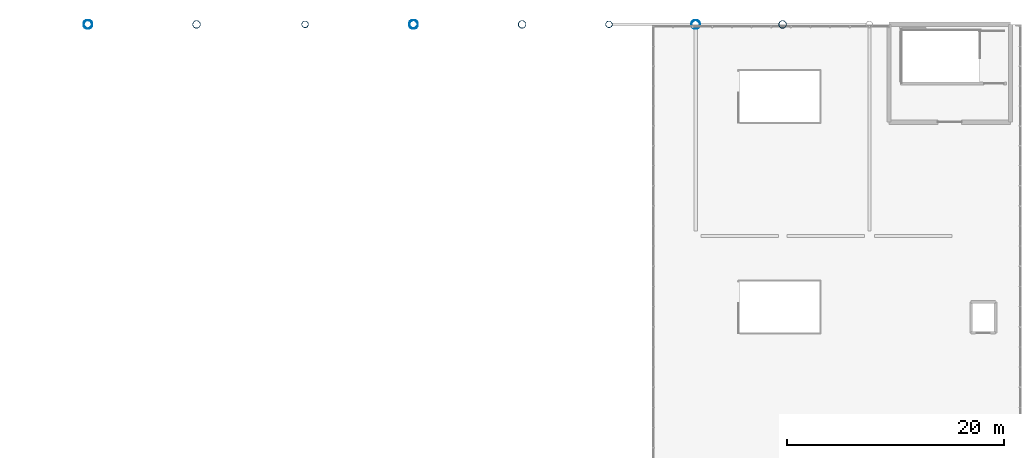
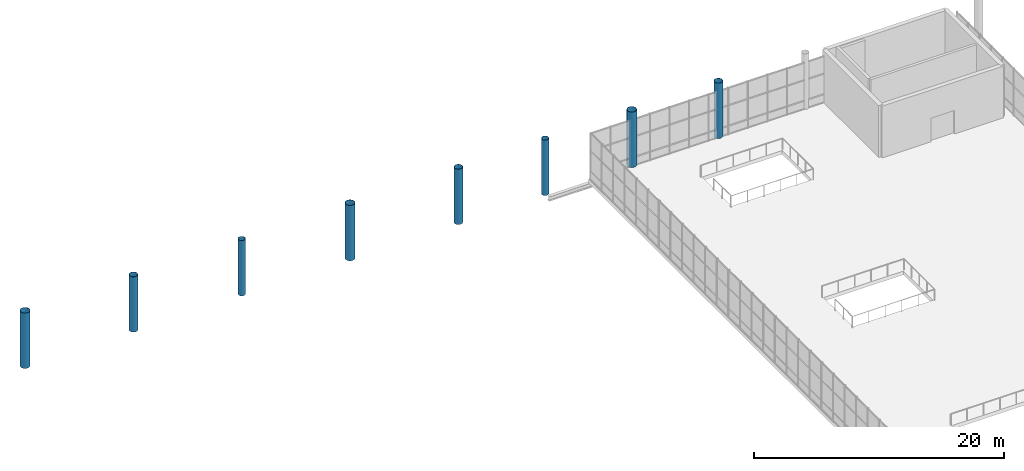
# One storey, part 17 of 176: 8 columns.
"""IFC4 building model written with IfcOpenShell, lengths in metres."""

from ifc_helpers import new_model, si_unit, direction, frame, origin, origin_2d, place, context, subcontext, project, spatial, hollow_circle, extrude, material, material_profile, profile_set, type_object, element, save


model = new_model("IFC4")

# Units and contexts
model_context = context("Model", 3, precision=1e-05, world=origin(), true_north=direction((0.0, 1.0)))
body_context = subcontext(model_context, "Body", "Model", "MODEL_VIEW")
ifc_project = project(units=[si_unit("LENGTHUNIT", "METRE"), si_unit("AREAUNIT", "SQUARE_METRE"), si_unit("VOLUMEUNIT", "CUBIC_METRE"), si_unit("PLANEANGLEUNIT", "RADIAN"), si_unit("MASSUNIT", "GRAM", prefix="KILO")], contexts=[model_context])

# Site, building, storey
site_placement = place(None, origin())
site = spatial("IfcSite", under=ifc_project, at=site_placement, CompositionType="ELEMENT")
building_placement = place(site_placement, origin())
building = spatial("IfcBuilding", under=site, at=building_placement, Name="Khorjan Park Terminus", CompositionType="ELEMENT")
storey_placement = place(building_placement, frame((0.0, 0.0, 6.0)))
storey = spatial("IfcBuildingStorey", under=building, at=storey_placement, Name="L01", CompositionType="ELEMENT", Elevation=6.0)

# Columns
ifc_material = material(Name="Steel S355", Category="steel")
ifc_material_profile_1 = material_profile(ifc_material, hollow_circle(Radius=0.305, WallThickness=0.02, at=origin_2d()), Name="CHS 610x20")
ifc_profile_set_1 = profile_set([ifc_material_profile_1], Name="Steel S355")
column_type_1 = type_object("IfcColumnType", Name="COL-SH610E", PredefinedType="COLUMN", material=ifc_profile_set_1)
for number, where, z_axis, x_axis, name in (
    (1, (20.0, 154.0, 0.0), (0.0, 0.0, 1.0), (1.0, 0.0, 0.0), "Structural column SC-61 (L01 #31)"),
    (2, (48.0, 154.0, 0.0), (0.0, 0.0, 1.0), (1.0, 0.0, 0.0), "Structural column SC-61 (L01 #67)"),
):
    element("IfcColumn", number, at=place(storey_placement, frame(where, z_axis=z_axis, x_axis=x_axis)), inside=storey, type_object=column_type_1, Name=name, PredefinedType="COLUMN", context=body_context, shape_type="SweptSolid", body=[
        extrude(hollow_circle(Radius=0.305, WallThickness=0.02, at=origin_2d()), origin(), (0.0, 0.0, 1.0), 5.4),
    ])
ifc_material_profile_2 = material_profile(ifc_material, hollow_circle(Radius=0.3555, WallThickness=0.025, at=origin_2d()), Name="CHS 711x25")
ifc_profile_set_2 = profile_set([ifc_material_profile_2], Name="Steel S355")
column_type_2 = type_object("IfcColumnType", Name="COL-SH711E", PredefinedType="COLUMN", material=ifc_profile_set_2)
for number, where, z_axis, x_axis, name in (
    (3, (10.0, 154.0, 0.0), (0.0, 0.0, 1.0), (1.0, 0.0, 0.0), "Structural column SC-71 (L01 #19)"),
    (4, (40.0, 154.0, 0.0), (0.0, 0.0, 1.0), (1.0, 0.0, 0.0), "Structural column SC-71 (L01 #55)"),
    (5, (64.0, 154.0, 0.0), (0.0, 0.0, 1.0), (1.0, 0.0, 0.0), "Structural column SC-71 (L01 #93)"),
):
    element("IfcColumn", number, at=place(storey_placement, frame(where, z_axis=z_axis, x_axis=x_axis)), inside=storey, type_object=column_type_2, Name=name, PredefinedType="COLUMN", context=body_context, shape_type="SweptSolid", body=[
        extrude(hollow_circle(Radius=0.3555, WallThickness=0.025, at=origin_2d()), origin(), (0.0, 0.0, 1.0), 5.4),
    ])
ifc_material_profile_3 = material_profile(ifc_material, hollow_circle(Radius=0.4065, WallThickness=0.025, at=origin_2d()), Name="CHS 813x25")
ifc_profile_set_3 = profile_set([ifc_material_profile_3], Name="Steel S355")
column_type_3 = type_object("IfcColumnType", Name="COL-SH813E", PredefinedType="COLUMN", material=ifc_profile_set_3)
for number, where, z_axis, x_axis, name in (
    (6, (0.0, 154.0, 0.0), (0.0, 0.0, 1.0), (1.0, 0.0, 0.0), "Structural column SC-81 (L01 #7)"),
    (7, (30.0, 154.0, 0.0), (0.0, 0.0, 1.0), (1.0, 0.0, 0.0), "Structural column SC-81 (L01 #43)"),
    (8, (56.0, 154.0, 0.0), (0.0, 0.0, 1.0), (1.0, 0.0, 0.0), "Structural column SC-81 (L01 #79)"),
):
    element("IfcColumn", number, at=place(storey_placement, frame(where, z_axis=z_axis, x_axis=x_axis)), inside=storey, type_object=column_type_3, Name=name, PredefinedType="COLUMN", context=body_context, shape_type="SweptSolid", body=[
        extrude(hollow_circle(Radius=0.4065, WallThickness=0.025, at=origin_2d()), origin(), (0.0, 0.0, 1.0), 5.4),
    ])

save(model, "model.ifc")
